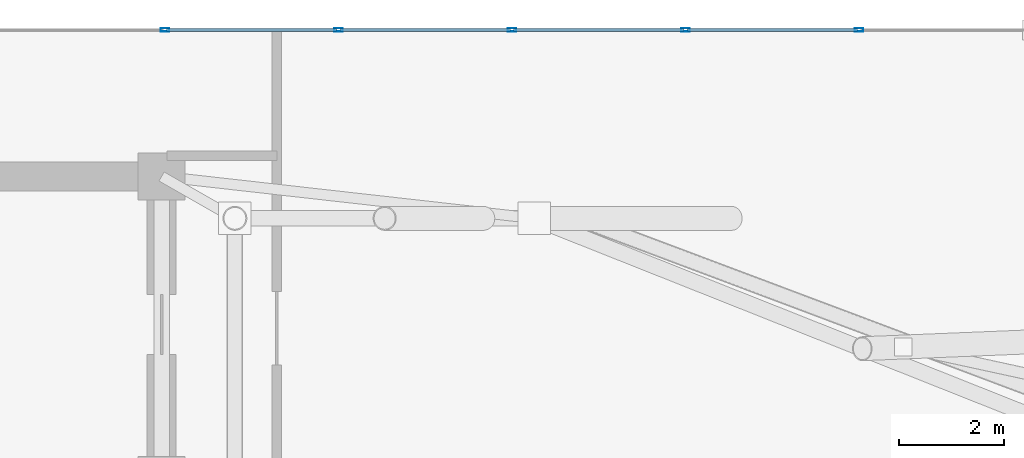
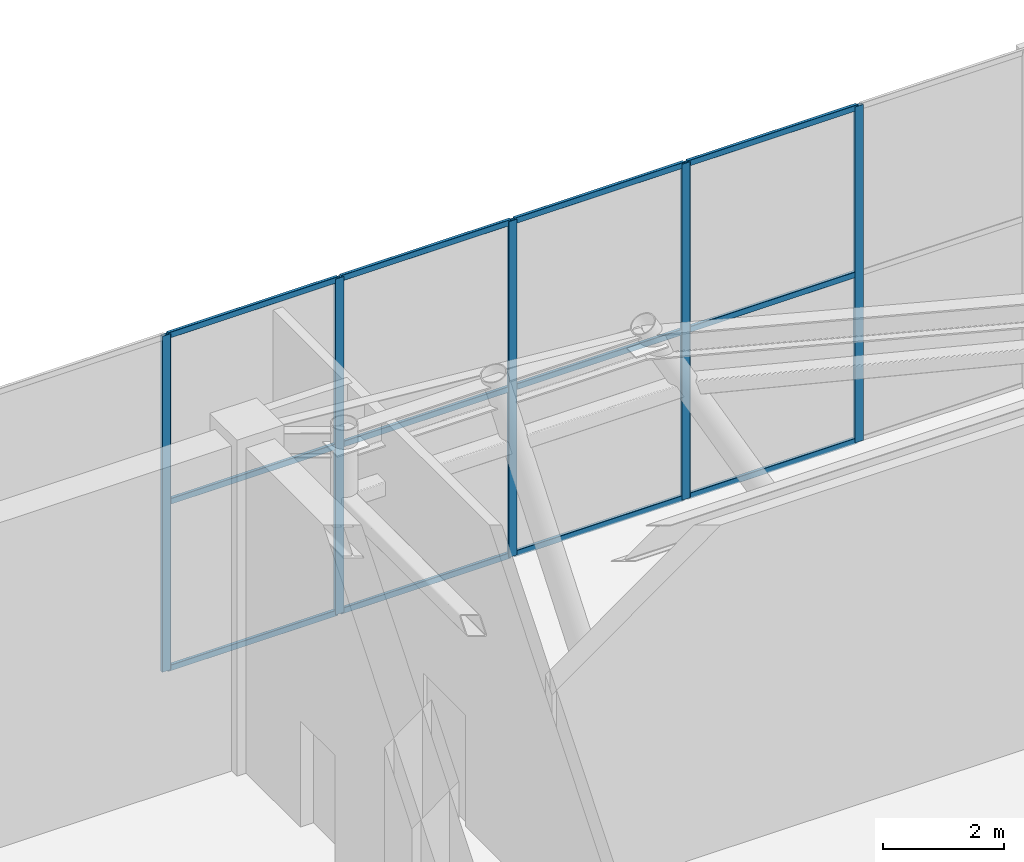
# One storey, part 15 of 24: 17 members, 1 element without a shape of its own.
"""IFC4 building model written with IfcOpenShell, lengths in metres."""

from ifc_helpers import new_model, si_unit, direction, frame, origin, origin_2d, place, context, subcontext, project, spatial, hollow_rectangle, extrude, material, layer, layer_set, material_profile, profile_set, type_object, element, aggregate, save


model = new_model("IFC4")

# Units and contexts
model_context = context("Model", 3, precision=1e-05, world=origin(), true_north=direction((0.0, 1.0)))
body_context = subcontext(model_context, "Body", "Model", "MODEL_VIEW")
ifc_project = project(units=[si_unit("LENGTHUNIT", "METRE"), si_unit("AREAUNIT", "SQUARE_METRE"), si_unit("VOLUMEUNIT", "CUBIC_METRE"), si_unit("PLANEANGLEUNIT", "RADIAN"), si_unit("MASSUNIT", "GRAM", prefix="KILO")], contexts=[model_context])

# Site, building, storey
site_placement = place(None, origin())
site = spatial("IfcSite", under=ifc_project, at=site_placement, CompositionType="ELEMENT")
building_placement = place(site_placement, origin())
building = spatial("IfcBuilding", under=site, at=building_placement, Name="An Khanh Terracotta Commons", CompositionType="ELEMENT")
storey_placement = place(building_placement, frame((0.0, 0.0, 315.199951171875)))
storey = spatial("IfcBuildingStorey", under=building, at=storey_placement, Name="L80 Crown Cooling Plant", CompositionType="ELEMENT", Elevation=315.199951171875)

# Curtain wall, members
ifc_material = material(Name="Anodised Aluminium 6063-T6", Category="aluminium")
ifc_layer = layer(ifc_material, 0.18994140625, Name="Anodised Aluminium 6063-T6")
ifc_layer_set = layer_set([ifc_layer], Name="Anodised Aluminium 6063-T6")
curtain_wall_type = type_object("IfcCurtainWallType", Name="CW-SYS-06", PredefinedType="USERDEFINED", material=ifc_layer_set)
curtain_wall_placement = place(storey_placement, origin())
curtain_wall = element("IfcCurtainWall", 1, at=curtain_wall_placement, inside=storey, type_object=curtain_wall_type, Name="L80 Crown Cooling Plant CW-06 Unitised Curtain Wall CW-L80-20", ObjectType="UNITISED CURTAIN WALL", PredefinedType="USERDEFINED")
ifc_material_profile_1 = material_profile(ifc_material, hollow_rectangle(XDim=0.06494140625, YDim=0.1650390625, WallThickness=0.00390625, InnerFilletRadius=0.00390625, OuterFilletRadius=0.008056640625, at=origin_2d()), Name="RHS165x65x4")
ifc_profile_set_1 = profile_set([ifc_material_profile_1], Name="Anodised Aluminium 6063-T6")
member_type_1 = type_object("IfcMemberType", Name="CWM-RHS165x65x4", PredefinedType="MULLION", material=ifc_profile_set_1)
member_1_placement = place(storey_placement, frame((50.525390625, 36.39990234375, 0.0), z_axis=(0.0, 0.0, 1.0), x_axis=(0.0, -1.0, 0.0)))
member_1 = element("IfcMember", 2, at=member_1_placement, type_object=member_type_1, Name="CW-06 mullion 2", PredefinedType="MULLION", context=body_context, shape_type="SweptSolid", body=[
    extrude(hollow_rectangle(XDim=0.06494140625, YDim=0.1650390625, WallThickness=0.00390625, InnerFilletRadius=0.00390625, OuterFilletRadius=0.008056640625, at=origin_2d()), origin(), (0.0, 0.0, 1.0), 6.800048828125),
])
member_2_placement = place(storey_placement, frame((47.209716796875, 36.39990234375, 0.0), z_axis=(0.0, 0.0, 1.0), x_axis=(0.0, -1.0, 0.0)))
member_2 = element("IfcMember", 3, at=member_2_placement, type_object=member_type_1, Name="CW-06 mullion 3", PredefinedType="MULLION", context=body_context, shape_type="SweptSolid", body=[
    extrude(hollow_rectangle(XDim=0.06494140625, YDim=0.1650390625, WallThickness=0.00390625, InnerFilletRadius=0.00390625, OuterFilletRadius=0.008056640625, at=origin_2d()), origin(), (0.0, 0.0, 1.0), 6.800048828125),
])
member_3_placement = place(storey_placement, frame((43.89404296875, 36.39990234375, 0.0), z_axis=(0.0, 0.0, 1.0), x_axis=(0.0, -1.0, 0.0)))
member_3 = element("IfcMember", 4, at=member_3_placement, type_object=member_type_1, Name="CW-06 mullion 4", PredefinedType="MULLION", context=body_context, shape_type="SweptSolid", body=[
    extrude(hollow_rectangle(XDim=0.06494140625, YDim=0.1650390625, WallThickness=0.00390625, InnerFilletRadius=0.00390625, OuterFilletRadius=0.008056640625, at=origin_2d()), origin(), (0.0, 0.0, 1.0), 6.800048828125),
])
member_4_placement = place(storey_placement, frame((40.578369140625, 36.39990234375, 0.0), z_axis=(0.0, 0.0, 1.0), x_axis=(0.0, -1.0, 0.0)))
member_4 = element("IfcMember", 5, at=member_4_placement, type_object=member_type_1, Name="CW-06 mullion 5", PredefinedType="MULLION", context=body_context, shape_type="SweptSolid", body=[
    extrude(hollow_rectangle(XDim=0.06494140625, YDim=0.1650390625, WallThickness=0.00390625, InnerFilletRadius=0.00390625, OuterFilletRadius=0.008056640625, at=origin_2d()), origin(), (0.0, 0.0, 1.0), 6.800048828125),
])
member_5_placement = place(storey_placement, frame((37.2626953125, 36.39990234375, 0.0), z_axis=(0.0, 0.0, 1.0), x_axis=(0.0, -1.0, 0.0)))
member_5 = element("IfcMember", 6, at=member_5_placement, type_object=member_type_1, Name="CW-06 mullion 6", PredefinedType="MULLION", context=body_context, shape_type="SweptSolid", body=[
    extrude(hollow_rectangle(XDim=0.06494140625, YDim=0.1650390625, WallThickness=0.00390625, InnerFilletRadius=0.00390625, OuterFilletRadius=0.008056640625, at=origin_2d()), origin(), (0.0, 0.0, 1.0), 6.800048828125),
])
ifc_material_profile_2 = material_profile(ifc_material, hollow_rectangle(XDim=0.06005859375, YDim=0.1201171875, WallThickness=0.003662109375, InnerFilletRadius=0.003662109375, OuterFilletRadius=0.007080078125, at=origin_2d()), Name="RHS120x60x3.6")
ifc_profile_set_2 = profile_set([ifc_material_profile_2], Name="Anodised Aluminium 6063-T6")
member_type_2 = type_object("IfcMemberType", Name="CWT-RHS120x60x3.6", PredefinedType="USERDEFINED", material=ifc_profile_set_2)
member_6_placement = place(storey_placement, frame((50.492919921875, 36.39990234375, 0.030029296875), z_axis=(-1.0, 0.0, 0.0), x_axis=(0.0, -1.0, 0.0)))
member_6 = element("IfcMember", 7, at=member_6_placement, type_object=member_type_2, Name="CW-06 transom 2.1", ObjectType="TRANSOM", PredefinedType="USERDEFINED", context=body_context, shape_type="SweptSolid", body=[
    extrude(hollow_rectangle(XDim=0.06005859375, YDim=0.1201171875, WallThickness=0.003662109375, InnerFilletRadius=0.003662109375, OuterFilletRadius=0.007080078125, at=origin_2d()), origin(), (0.0, 0.0, 1.0), 3.250732421875),
])
member_7_placement = place(storey_placement, frame((50.492919921875, 36.39990234375, 3.400146484375), z_axis=(-1.0, 0.0, 0.0), x_axis=(0.0, -1.0, 0.0)))
member_7 = element("IfcMember", 8, at=member_7_placement, type_object=member_type_2, Name="CW-06 transom 2.2", ObjectType="TRANSOM", PredefinedType="USERDEFINED", context=body_context, shape_type="SweptSolid", body=[
    extrude(hollow_rectangle(XDim=0.06005859375, YDim=0.1201171875, WallThickness=0.003662109375, InnerFilletRadius=0.003662109375, OuterFilletRadius=0.007080078125, at=origin_2d()), origin(), (0.0, 0.0, 1.0), 3.250732421875),
])
member_8_placement = place(storey_placement, frame((50.492919921875, 36.39990234375, 6.77001953125), z_axis=(-1.0, 0.0, 0.0), x_axis=(0.0, -1.0, 0.0)))
member_8 = element("IfcMember", 9, at=member_8_placement, type_object=member_type_2, Name="CW-06 transom 2.3", ObjectType="TRANSOM", PredefinedType="USERDEFINED", context=body_context, shape_type="SweptSolid", body=[
    extrude(hollow_rectangle(XDim=0.06005859375, YDim=0.1201171875, WallThickness=0.003662109375, InnerFilletRadius=0.003662109375, OuterFilletRadius=0.007080078125, at=origin_2d()), origin(), (0.0, 0.0, 1.0), 3.250732421875),
])
member_9_placement = place(storey_placement, frame((47.17724609375, 36.39990234375, 0.030029296875), z_axis=(-1.0, 0.0, 0.0), x_axis=(0.0, -1.0, 0.0)))
member_9 = element("IfcMember", 10, at=member_9_placement, type_object=member_type_2, Name="CW-06 transom 3.1", ObjectType="TRANSOM", PredefinedType="USERDEFINED", context=body_context, shape_type="SweptSolid", body=[
    extrude(hollow_rectangle(XDim=0.06005859375, YDim=0.1201171875, WallThickness=0.003662109375, InnerFilletRadius=0.003662109375, OuterFilletRadius=0.007080078125, at=origin_2d()), origin(), (0.0, 0.0, 1.0), 3.250732421875),
])
member_10_placement = place(storey_placement, frame((47.17724609375, 36.39990234375, 3.400146484375), z_axis=(-1.0, 0.0, 0.0), x_axis=(0.0, -1.0, 0.0)))
member_10 = element("IfcMember", 11, at=member_10_placement, type_object=member_type_2, Name="CW-06 transom 3.2", ObjectType="TRANSOM", PredefinedType="USERDEFINED", context=body_context, shape_type="SweptSolid", body=[
    extrude(hollow_rectangle(XDim=0.06005859375, YDim=0.1201171875, WallThickness=0.003662109375, InnerFilletRadius=0.003662109375, OuterFilletRadius=0.007080078125, at=origin_2d()), origin(), (0.0, 0.0, 1.0), 3.250732421875),
])
member_11_placement = place(storey_placement, frame((47.17724609375, 36.39990234375, 6.77001953125), z_axis=(-1.0, 0.0, 0.0), x_axis=(0.0, -1.0, 0.0)))
member_11 = element("IfcMember", 12, at=member_11_placement, type_object=member_type_2, Name="CW-06 transom 3.3", ObjectType="TRANSOM", PredefinedType="USERDEFINED", context=body_context, shape_type="SweptSolid", body=[
    extrude(hollow_rectangle(XDim=0.06005859375, YDim=0.1201171875, WallThickness=0.003662109375, InnerFilletRadius=0.003662109375, OuterFilletRadius=0.007080078125, at=origin_2d()), origin(), (0.0, 0.0, 1.0), 3.250732421875),
])
member_12_placement = place(storey_placement, frame((43.861572265625, 36.39990234375, 0.030029296875), z_axis=(-1.0, 0.0, 0.0), x_axis=(0.0, -1.0, 0.0)))
member_12 = element("IfcMember", 13, at=member_12_placement, type_object=member_type_2, Name="CW-06 transom 4.1", ObjectType="TRANSOM", PredefinedType="USERDEFINED", context=body_context, shape_type="SweptSolid", body=[
    extrude(hollow_rectangle(XDim=0.06005859375, YDim=0.1201171875, WallThickness=0.003662109375, InnerFilletRadius=0.003662109375, OuterFilletRadius=0.007080078125, at=origin_2d()), origin(), (0.0, 0.0, 1.0), 3.250732421875),
])
member_13_placement = place(storey_placement, frame((43.861572265625, 36.39990234375, 3.400146484375), z_axis=(-1.0, 0.0, 0.0), x_axis=(0.0, -1.0, 0.0)))
member_13 = element("IfcMember", 14, at=member_13_placement, type_object=member_type_2, Name="CW-06 transom 4.2", ObjectType="TRANSOM", PredefinedType="USERDEFINED", context=body_context, shape_type="SweptSolid", body=[
    extrude(hollow_rectangle(XDim=0.06005859375, YDim=0.1201171875, WallThickness=0.003662109375, InnerFilletRadius=0.003662109375, OuterFilletRadius=0.007080078125, at=origin_2d()), origin(), (0.0, 0.0, 1.0), 3.250732421875),
])
member_14_placement = place(storey_placement, frame((43.861572265625, 36.39990234375, 6.77001953125), z_axis=(-1.0, 0.0, 0.0), x_axis=(0.0, -1.0, 0.0)))
member_14 = element("IfcMember", 15, at=member_14_placement, type_object=member_type_2, Name="CW-06 transom 4.3", ObjectType="TRANSOM", PredefinedType="USERDEFINED", context=body_context, shape_type="SweptSolid", body=[
    extrude(hollow_rectangle(XDim=0.06005859375, YDim=0.1201171875, WallThickness=0.003662109375, InnerFilletRadius=0.003662109375, OuterFilletRadius=0.007080078125, at=origin_2d()), origin(), (0.0, 0.0, 1.0), 3.250732421875),
])
member_15_placement = place(storey_placement, frame((40.5458984375, 36.39990234375, 0.030029296875), z_axis=(-1.0, 0.0, 0.0), x_axis=(0.0, -1.0, 0.0)))
member_15 = element("IfcMember", 16, at=member_15_placement, type_object=member_type_2, Name="CW-06 transom 5.1", ObjectType="TRANSOM", PredefinedType="USERDEFINED", context=body_context, shape_type="SweptSolid", body=[
    extrude(hollow_rectangle(XDim=0.06005859375, YDim=0.1201171875, WallThickness=0.003662109375, InnerFilletRadius=0.003662109375, OuterFilletRadius=0.007080078125, at=origin_2d()), origin(), (0.0, 0.0, 1.0), 3.250732421875),
])
member_16_placement = place(storey_placement, frame((40.5458984375, 36.39990234375, 3.400146484375), z_axis=(-1.0, 0.0, 0.0), x_axis=(0.0, -1.0, 0.0)))
member_16 = element("IfcMember", 17, at=member_16_placement, type_object=member_type_2, Name="CW-06 transom 5.2", ObjectType="TRANSOM", PredefinedType="USERDEFINED", context=body_context, shape_type="SweptSolid", body=[
    extrude(hollow_rectangle(XDim=0.06005859375, YDim=0.1201171875, WallThickness=0.003662109375, InnerFilletRadius=0.003662109375, OuterFilletRadius=0.007080078125, at=origin_2d()), origin(), (0.0, 0.0, 1.0), 3.250732421875),
])
member_17_placement = place(storey_placement, frame((40.5458984375, 36.39990234375, 6.77001953125), z_axis=(-1.0, 0.0, 0.0), x_axis=(0.0, -1.0, 0.0)))
member_17 = element("IfcMember", 18, at=member_17_placement, type_object=member_type_2, Name="CW-06 transom 5.3", ObjectType="TRANSOM", PredefinedType="USERDEFINED", context=body_context, shape_type="SweptSolid", body=[
    extrude(hollow_rectangle(XDim=0.06005859375, YDim=0.1201171875, WallThickness=0.003662109375, InnerFilletRadius=0.003662109375, OuterFilletRadius=0.007080078125, at=origin_2d()), origin(), (0.0, 0.0, 1.0), 3.250732421875),
])
aggregate(curtain_wall, [member_1, member_2, member_3, member_4, member_5, member_6, member_7, member_8, member_9, member_10, member_11, member_12, member_13, member_14, member_15, member_16, member_17])

save(model, "model.ifc")
